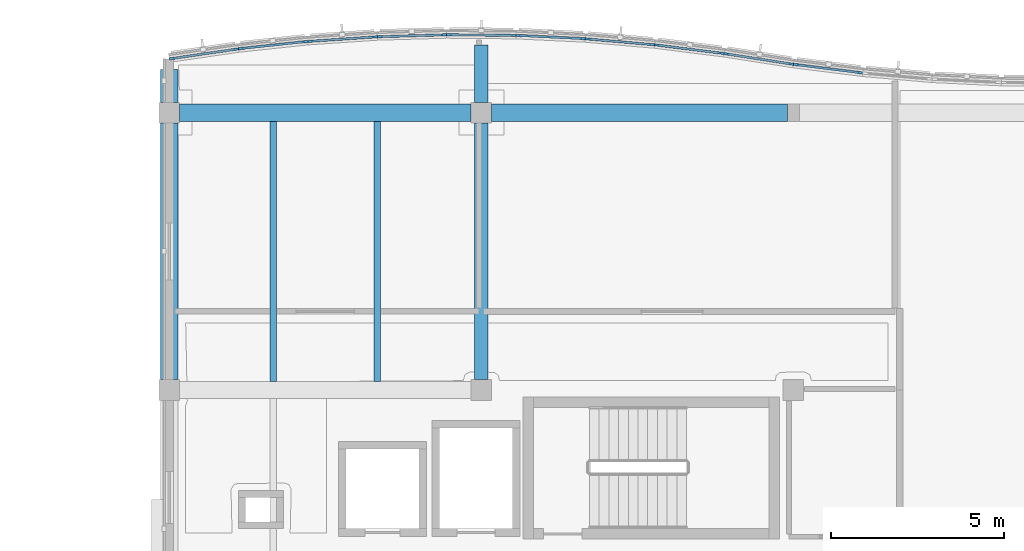
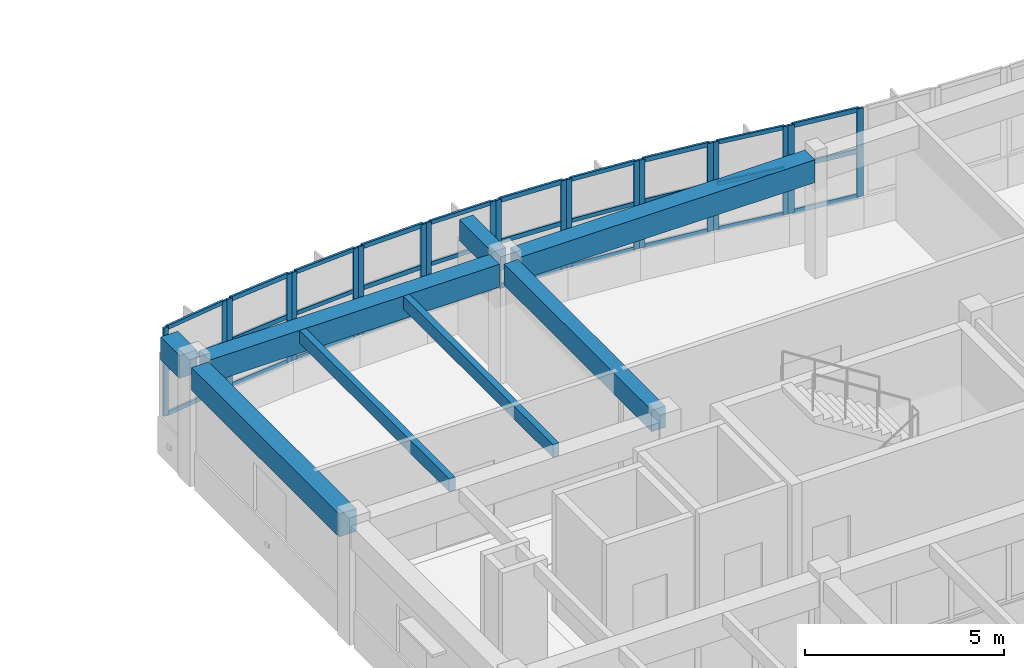
# One storey, part 19 of 89: 50 members, 8 beams, 10 elements without a shape of their own.
"""IFC4 building model written with IfcOpenShell, lengths in metres."""

from ifc_helpers import new_model, si_unit, direction, frame, origin, origin_2d, place, context, subcontext, project, spatial, rectangle, extrude, material, layer, layer_set, material_profile, profile_set, type_object, element, aggregate, save


model = new_model("IFC4")

# Units and contexts
model_context = context("Model", 3, precision=1e-05, world=origin(), true_north=direction((0.0, 1.0)))
body_context = subcontext(model_context, "Body", "Model", "MODEL_VIEW")
ifc_project = project(units=[si_unit("LENGTHUNIT", "METRE"), si_unit("AREAUNIT", "SQUARE_METRE"), si_unit("VOLUMEUNIT", "CUBIC_METRE"), si_unit("PLANEANGLEUNIT", "RADIAN"), si_unit("MASSUNIT", "GRAM", prefix="KILO")], contexts=[model_context])

# Site, building, storey
site_placement = place(None, origin())
site = spatial("IfcSite", under=ifc_project, at=site_placement, CompositionType="ELEMENT")
building_placement = place(site_placement, origin())
building = spatial("IfcBuilding", under=site, at=building_placement, Name="Tonlespit Floodbar School", CompositionType="ELEMENT")
storey_placement = place(building_placement, frame((0.0, 0.0, 4.5)))
storey = spatial("IfcBuildingStorey", under=building, at=storey_placement, Name="L01", CompositionType="ELEMENT", Elevation=4.5)

# Beams
ifc_material_1 = material(Name="Concrete C40/50", Category="concrete")
ifc_material_profile_1 = material_profile(ifc_material_1, rectangle(XDim=0.39990234375, YDim=0.64990234375, at=origin_2d()), Name="RC 400x650")
ifc_profile_set_1 = profile_set([ifc_material_profile_1], Name="Concrete C40/50")
beam_type_1 = type_object("IfcBeamType", Name="Beam_RC_400x650", PredefinedType="BEAM", material=ifc_profile_set_1)
beam_1_placement = place(storey_placement, frame((53.0, 112.300048828125, 3.320068359375), z_axis=(0.0, 1.0, 0.0), x_axis=(-1.0, 0.0, 0.0)))
element("IfcBeam", 1, at=beam_1_placement, inside=storey, type_object=beam_type_1, Name="L01 girder 0729", PredefinedType="BEAM", context=body_context, shape_type="SweptSolid", body=[
    extrude(rectangle(XDim=0.39990234375, YDim=0.64990234375, at=origin_2d()), origin(), (0.0, 0.0, 1.0), 7.39990234375),
])
beam_2_placement = place(storey_placement, frame((53.0, 120.300048828125, 3.320068359375), z_axis=(0.0, 1.0, 0.0), x_axis=(-1.0, 0.0, 0.0)))
element("IfcBeam", 2, at=beam_2_placement, inside=storey, type_object=beam_type_1, Name="L01 north street wave cantilever bracket", PredefinedType="BEAM", context=body_context, shape_type="SweptSolid", body=[
    extrude(rectangle(XDim=0.39990234375, YDim=0.64990234375, at=origin_2d()), origin(), (0.0, 0.0, 1.0), 1.64697265625),
])

# Curtain wall, members
ifc_material_2 = material(Name="Anodised Aluminium", Category="aluminium")
ifc_layer_1 = layer(ifc_material_2, 0.159912109375)
ifc_layer_set_1 = layer_set([ifc_layer_1], Name="Anodised Aluminium")
curtain_wall_type_1 = type_object("IfcCurtainWallType", Name="CurtainWall_1950x2700", PredefinedType="NOTDEFINED", material=ifc_layer_set_1)
curtain_wall_1_placement = place(storey_placement, origin())
curtain_wall_1 = element("IfcCurtainWall", 3, at=curtain_wall_1_placement, inside=storey, type_object=curtain_wall_type_1, Name="L01 unitised curtain wall 0040", PredefinedType="NOTDEFINED")
ifc_material_profile_2 = material_profile(ifc_material_2, rectangle(XDim=0.06494140625, YDim=0.14990234375, at=origin_2d()), Name="ALU M65x150")
ifc_profile_set_2 = profile_set([ifc_material_profile_2], Name="Anodised Aluminium")
member_type_1 = type_object("IfcMemberType", Name="CW_Mullion_65x150", PredefinedType="MULLION", material=ifc_profile_set_2)
member_1_placement = place(storey_placement, frame((44.07177734375, 121.560546875, 0.949951171875), z_axis=(0.0, 0.0, 1.0), x_axis=(-0.144248041079, 0.989541561858, 0.0)))
member_1 = element("IfcMember", 4, at=member_1_placement, type_object=member_type_1, Name="CW-04 mullion 1", PredefinedType="MULLION", context=body_context, shape_type="SweptSolid", body=[
    extrude(rectangle(XDim=0.06494140625, YDim=0.14990234375, at=origin_2d()), origin(), (0.0, 0.0, 1.0), 2.699951171875),
])
member_2_placement = place(storey_placement, frame((45.92822265625, 121.8310546875, 0.949951171875), z_axis=(0.0, 0.0, 1.0), x_axis=(-0.144248041079, 0.989541561858, 0.0)))
member_2 = element("IfcMember", 5, at=member_2_placement, type_object=member_type_1, Name="CW-04 mullion 2", PredefinedType="MULLION", context=body_context, shape_type="SweptSolid", body=[
    extrude(rectangle(XDim=0.06494140625, YDim=0.14990234375, at=origin_2d()), origin(), (0.0, 0.0, 1.0), 2.699951171875),
])

ifc_layer_2 = layer(ifc_material_2, 0.159912109375)
ifc_layer_set_2 = layer_set([ifc_layer_2], Name="Anodised Aluminium")
curtain_wall_type_2 = type_object("IfcCurtainWallType", Name="CurtainWall_1900x2700", PredefinedType="NOTDEFINED", material=ifc_layer_set_2)
curtain_wall_2_placement = place(storey_placement, origin())
curtain_wall_2 = element("IfcCurtainWall", 6, at=curtain_wall_2_placement, inside=storey, type_object=curtain_wall_type_2, Name="L01 unitised curtain wall 0042", PredefinedType="NOTDEFINED")
member_3_placement = place(storey_placement, frame((48.072265625, 122.05908203125, 0.949951171875), z_axis=(0.0, 0.0, 1.0), x_axis=(-0.067339767311, 0.99773010165, 0.0)))
member_3 = element("IfcMember", 7, at=member_3_placement, type_object=member_type_1, Name="CW-05 mullion 1", PredefinedType="MULLION", context=body_context, shape_type="SweptSolid", body=[
    extrude(rectangle(XDim=0.06494140625, YDim=0.14990234375, at=origin_2d()), origin(), (0.0, 0.0, 1.0), 2.699951171875),
])
member_4_placement = place(storey_placement, frame((49.927734375, 122.184326171875, 0.949951171875), z_axis=(0.0, 0.0, 1.0), x_axis=(-0.067339767311, 0.99773010165, 0.0)))
member_4 = element("IfcMember", 8, at=member_4_placement, type_object=member_type_1, Name="CW-05 mullion 2", PredefinedType="MULLION", context=body_context, shape_type="SweptSolid", body=[
    extrude(rectangle(XDim=0.06494140625, YDim=0.14990234375, at=origin_2d()), origin(), (0.0, 0.0, 1.0), 2.699951171875),
])

curtain_wall_3_placement = place(storey_placement, origin())
curtain_wall_3 = element("IfcCurtainWall", 9, at=curtain_wall_3_placement, inside=storey, type_object=curtain_wall_type_2, Name="L01 unitised curtain wall 0044", PredefinedType="NOTDEFINED")
member_5_placement = place(storey_placement, frame((52.072509765625, 122.246337890625, 0.949951171875), z_axis=(0.0, 0.0, 1.0), x_axis=(0.009582893292, 0.999954083024, 0.0)))
member_5 = element("IfcMember", 10, at=member_5_placement, type_object=member_type_1, Name="CW-05 mullion 1", PredefinedType="MULLION", context=body_context, shape_type="SweptSolid", body=[
    extrude(rectangle(XDim=0.06494140625, YDim=0.14990234375, at=origin_2d()), origin(), (0.0, 0.0, 1.0), 2.699951171875),
])
member_6_placement = place(storey_placement, frame((53.927490234375, 122.228515625, 0.949951171875), z_axis=(0.0, 0.0, 1.0), x_axis=(0.009582893292, 0.999954083024, 0.0)))
member_6 = element("IfcMember", 11, at=member_6_placement, type_object=member_type_1, Name="CW-05 mullion 2", PredefinedType="MULLION", context=body_context, shape_type="SweptSolid", body=[
    extrude(rectangle(XDim=0.06494140625, YDim=0.14990234375, at=origin_2d()), origin(), (0.0, 0.0, 1.0), 2.699951171875),
])

curtain_wall_4_placement = place(storey_placement, origin())
curtain_wall_4 = element("IfcCurtainWall", 12, at=curtain_wall_4_placement, inside=storey, type_object=curtain_wall_type_1, Name="L01 unitised curtain wall 0046", PredefinedType="NOTDEFINED")
member_7_placement = place(storey_placement, frame((56.072265625, 122.125244140625, 0.949951171875), z_axis=(0.0, 0.0, 1.0), x_axis=(0.086531117454, 0.996249148412, 0.0)))
member_7 = element("IfcMember", 13, at=member_7_placement, type_object=member_type_1, Name="CW-04 mullion 1", PredefinedType="MULLION", context=body_context, shape_type="SweptSolid", body=[
    extrude(rectangle(XDim=0.06494140625, YDim=0.14990234375, at=origin_2d()), origin(), (0.0, 0.0, 1.0), 2.699951171875),
])
member_8_placement = place(storey_placement, frame((57.927734375, 121.964111328125, 0.949951171875), z_axis=(0.0, 0.0, 1.0), x_axis=(0.086531117454, 0.996249148412, 0.0)))
member_8 = element("IfcMember", 14, at=member_8_placement, type_object=member_type_1, Name="CW-04 mullion 2", PredefinedType="MULLION", context=body_context, shape_type="SweptSolid", body=[
    extrude(rectangle(XDim=0.06494140625, YDim=0.14990234375, at=origin_2d()), origin(), (0.0, 0.0, 1.0), 2.699951171875),
])

curtain_wall_5_placement = place(storey_placement, origin())
curtain_wall_5 = element("IfcCurtainWall", 15, at=curtain_wall_5_placement, inside=storey, type_object=curtain_wall_type_1, Name="L01 unitised curtain wall 0048", PredefinedType="NOTDEFINED")
member_9_placement = place(storey_placement, frame((60.071533203125, 121.694580078125, 0.949951171875), z_axis=(0.0, 0.0, 1.0), x_axis=(0.153796288585, 0.988102576465, 0.0)))
member_9 = element("IfcMember", 16, at=member_9_placement, type_object=member_type_1, Name="CW-04 mullion 1", PredefinedType="MULLION", context=body_context, shape_type="SweptSolid", body=[
    extrude(rectangle(XDim=0.06494140625, YDim=0.14990234375, at=origin_2d()), origin(), (0.0, 0.0, 1.0), 2.699951171875),
])
member_10_placement = place(storey_placement, frame((61.928466796875, 121.405517578125, 0.949951171875), z_axis=(0.0, 0.0, 1.0), x_axis=(0.153796288585, 0.988102576465, 0.0)))
member_10 = element("IfcMember", 17, at=member_10_placement, type_object=member_type_1, Name="CW-04 mullion 2", PredefinedType="MULLION", context=body_context, shape_type="SweptSolid", body=[
    extrude(rectangle(XDim=0.06494140625, YDim=0.14990234375, at=origin_2d()), origin(), (0.0, 0.0, 1.0), 2.699951171875),
])

curtain_wall_6_placement = place(storey_placement, origin())
curtain_wall_6 = element("IfcCurtainWall", 18, at=curtain_wall_6_placement, inside=storey, type_object=curtain_wall_type_1, Name="L01 unitised curtain wall 0041", PredefinedType="NOTDEFINED")
ifc_material_profile_3 = material_profile(ifc_material_2, rectangle(XDim=0.06494140625, YDim=0.179931640625, at=origin_2d()), Name="ALU M65x180")
ifc_profile_set_3 = profile_set([ifc_material_profile_3], Name="Anodised Aluminium")
member_type_2 = type_object("IfcMemberType", Name="CW_Mullion_65x180", PredefinedType="MULLION", material=ifc_profile_set_3)
member_11_placement = place(storey_placement, frame((46.072021484375, 121.84912109375, 0.949951171875), z_axis=(0.0, 0.0, 1.0), x_axis=(-0.105787143968, 0.994388797288, 0.0)))
member_11 = element("IfcMember", 19, at=member_11_placement, type_object=member_type_2, Name="CW-04 mullion 1", PredefinedType="MULLION", context=body_context, shape_type="SweptSolid", body=[
    extrude(rectangle(XDim=0.06494140625, YDim=0.179931640625, at=origin_2d()), origin(), (0.0, 0.0, 1.0), 2.699951171875),
])
member_12_placement = place(storey_placement, frame((47.927978515625, 122.046630859375, 0.949951171875), z_axis=(0.0, 0.0, 1.0), x_axis=(-0.105787143968, 0.994388797288, 0.0)))
member_12 = element("IfcMember", 20, at=member_12_placement, type_object=member_type_2, Name="CW-04 mullion 2", PredefinedType="MULLION", context=body_context, shape_type="SweptSolid", body=[
    extrude(rectangle(XDim=0.06494140625, YDim=0.179931640625, at=origin_2d()), origin(), (0.0, 0.0, 1.0), 2.699951171875),
])

curtain_wall_7_placement = place(storey_placement, origin())
curtain_wall_7 = element("IfcCurtainWall", 21, at=curtain_wall_7_placement, inside=storey, type_object=curtain_wall_type_2, Name="L01 unitised curtain wall 0043", PredefinedType="NOTDEFINED")
member_13_placement = place(storey_placement, frame((50.072509765625, 122.19140625, 0.949951171875), z_axis=(0.0, 0.0, 1.0), x_axis=(-0.028790144226, 0.999585477883, 0.0)))
member_13 = element("IfcMember", 22, at=member_13_placement, type_object=member_type_2, Name="CW-05 mullion 1", PredefinedType="MULLION", context=body_context, shape_type="SweptSolid", body=[
    extrude(rectangle(XDim=0.06494140625, YDim=0.179931640625, at=origin_2d()), origin(), (0.0, 0.0, 1.0), 2.699951171875),
])
member_14_placement = place(storey_placement, frame((51.927490234375, 122.244873046875, 0.949951171875), z_axis=(0.0, 0.0, 1.0), x_axis=(-0.028790144226, 0.999585477883, 0.0)))
member_14 = element("IfcMember", 23, at=member_14_placement, type_object=member_type_2, Name="CW-05 mullion 2", PredefinedType="MULLION", context=body_context, shape_type="SweptSolid", body=[
    extrude(rectangle(XDim=0.06494140625, YDim=0.179931640625, at=origin_2d()), origin(), (0.0, 0.0, 1.0), 2.699951171875),
])

curtain_wall_8_placement = place(storey_placement, origin())
curtain_wall_8 = element("IfcCurtainWall", 24, at=curtain_wall_8_placement, inside=storey, type_object=curtain_wall_type_2, Name="L01 unitised curtain wall 0045", PredefinedType="NOTDEFINED")
member_15_placement = place(storey_placement, frame((54.072509765625, 122.224365234375, 0.949951171875), z_axis=(0.0, 0.0, 1.0), x_axis=(0.048121270216, 0.998841500616, 0.0)))
member_15 = element("IfcMember", 25, at=member_15_placement, type_object=member_type_2, Name="CW-05 mullion 1", PredefinedType="MULLION", context=body_context, shape_type="SweptSolid", body=[
    extrude(rectangle(XDim=0.06494140625, YDim=0.179931640625, at=origin_2d()), origin(), (0.0, 0.0, 1.0), 2.699951171875),
])
member_16_placement = place(storey_placement, frame((55.927490234375, 122.135009765625, 0.949951171875), z_axis=(0.0, 0.0, 1.0), x_axis=(0.048121270216, 0.998841500616, 0.0)))
member_16 = element("IfcMember", 26, at=member_16_placement, type_object=member_type_2, Name="CW-05 mullion 2", PredefinedType="MULLION", context=body_context, shape_type="SweptSolid", body=[
    extrude(rectangle(XDim=0.06494140625, YDim=0.179931640625, at=origin_2d()), origin(), (0.0, 0.0, 1.0), 2.699951171875),
])

curtain_wall_9_placement = place(storey_placement, origin())
curtain_wall_9 = element("IfcCurtainWall", 27, at=curtain_wall_9_placement, inside=storey, type_object=curtain_wall_type_1, Name="L01 unitised curtain wall 0047", PredefinedType="NOTDEFINED")
member_17_placement = place(storey_placement, frame((58.072021484375, 121.94873046875, 0.949951171875), z_axis=(0.0, 0.0, 1.0), x_axis=(0.125013803299, 0.992155002499, 0.0)))
member_17 = element("IfcMember", 28, at=member_17_placement, type_object=member_type_2, Name="CW-04 mullion 1", PredefinedType="MULLION", context=body_context, shape_type="SweptSolid", body=[
    extrude(rectangle(XDim=0.06494140625, YDim=0.179931640625, at=origin_2d()), origin(), (0.0, 0.0, 1.0), 2.699951171875),
])
member_18_placement = place(storey_placement, frame((59.927978515625, 121.71484375, 0.949951171875), z_axis=(0.0, 0.0, 1.0), x_axis=(0.125013803299, 0.992155002499, 0.0)))
member_18 = element("IfcMember", 29, at=member_18_placement, type_object=member_type_2, Name="CW-04 mullion 2", PredefinedType="MULLION", context=body_context, shape_type="SweptSolid", body=[
    extrude(rectangle(XDim=0.06494140625, YDim=0.179931640625, at=origin_2d()), origin(), (0.0, 0.0, 1.0), 2.699951171875),
])

curtain_wall_10_placement = place(storey_placement, origin())
curtain_wall_10 = element("IfcCurtainWall", 30, at=curtain_wall_10_placement, inside=storey, type_object=curtain_wall_type_1, Name="L01 unitised curtain wall 0049", PredefinedType="NOTDEFINED")
member_19_placement = place(storey_placement, frame((62.072021484375, 121.38525390625, 0.949951171875), z_axis=(0.0, 0.0, 1.0), x_axis=(0.125013803299, 0.992155002499, 0.0)))
member_19 = element("IfcMember", 31, at=member_19_placement, type_object=member_type_2, Name="CW-04 mullion 1", PredefinedType="MULLION", context=body_context, shape_type="SweptSolid", body=[
    extrude(rectangle(XDim=0.06494140625, YDim=0.179931640625, at=origin_2d()), origin(), (0.0, 0.0, 1.0), 2.699951171875),
])
member_20_placement = place(storey_placement, frame((63.927978515625, 121.1513671875, 0.949951171875), z_axis=(0.0, 0.0, 1.0), x_axis=(0.125013803299, 0.992155002499, 0.0)))
member_20 = element("IfcMember", 32, at=member_20_placement, type_object=member_type_2, Name="CW-04 mullion 2", PredefinedType="MULLION", context=body_context, shape_type="SweptSolid", body=[
    extrude(rectangle(XDim=0.06494140625, YDim=0.179931640625, at=origin_2d()), origin(), (0.0, 0.0, 1.0), 2.699951171875),
])

# Member
ifc_material_profile_4 = material_profile(ifc_material_2, rectangle(XDim=0.06494140625, YDim=0.1201171875, at=origin_2d()), Name="ALU T65x120")
ifc_profile_set_4 = profile_set([ifc_material_profile_4], Name="Anodised Aluminium")
member_type_3 = type_object("IfcMemberType", Name="CW_Transom_65x120", PredefinedType="USERDEFINED", material=ifc_profile_set_4)
member_21_placement = place(storey_placement, frame((44.10400390625, 121.565185546875, 0.982421875), z_axis=(0.989541000818, 0.144251889765, 0.0), x_axis=(-0.144251889765, 0.989541000818, 0.0)))
member_21 = element("IfcMember", 33, at=member_21_placement, type_object=member_type_3, Name="CW-04 transom 1.1", ObjectType="TRANSOM", PredefinedType="USERDEFINED", context=body_context, shape_type="SweptSolid", body=[
    extrude(rectangle(XDim=0.06494140625, YDim=0.1201171875, at=origin_2d()), origin(), (0.0, 0.0, 1.0), 1.81103515625),
])

member_22_placement = place(storey_placement, frame((44.10400390625, 121.565185546875, 2.35400390625), z_axis=(0.989541000818, 0.144251889765, 0.0), x_axis=(-0.144251889765, 0.989541000818, 0.0)))
member_22 = element("IfcMember", 34, at=member_22_placement, type_object=member_type_3, Name="CW-04 transom 1.2", ObjectType="TRANSOM", PredefinedType="USERDEFINED", context=body_context, shape_type="SweptSolid", body=[
    extrude(rectangle(XDim=0.06494140625, YDim=0.1201171875, at=origin_2d()), origin(), (0.0, 0.0, 1.0), 1.81103515625),
])

member_23_placement = place(storey_placement, frame((44.10400390625, 121.565185546875, 3.617431640625), z_axis=(0.989541000818, 0.144251889765, 0.0), x_axis=(-0.144251889765, 0.989541000818, 0.0)))
member_23 = element("IfcMember", 35, at=member_23_placement, type_object=member_type_3, Name="CW-04 transom 1.3", ObjectType="TRANSOM", PredefinedType="USERDEFINED", context=body_context, shape_type="SweptSolid", body=[
    extrude(rectangle(XDim=0.06494140625, YDim=0.1201171875, at=origin_2d()), origin(), (0.0, 0.0, 1.0), 1.81103515625),
])

aggregate(curtain_wall_1, [member_1, member_2, member_21, member_22, member_23])

member_24_placement = place(storey_placement, frame((48.104736328125, 122.061279296875, 0.982421875), z_axis=(0.997730041674, 0.067340655935, 0.0), x_axis=(-0.067340655935, 0.997730041674, 0.0)))
member_24 = element("IfcMember", 36, at=member_24_placement, type_object=member_type_3, Name="CW-05 transom 1.1", ObjectType="TRANSOM", PredefinedType="USERDEFINED", context=body_context, shape_type="SweptSolid", body=[
    extrude(rectangle(XDim=0.06494140625, YDim=0.1201171875, at=origin_2d()), origin(), (0.0, 0.0, 1.0), 1.794677734375),
])

member_25_placement = place(storey_placement, frame((48.104736328125, 122.061279296875, 2.35400390625), z_axis=(0.997730041674, 0.067340655935, 0.0), x_axis=(-0.067340655935, 0.997730041674, 0.0)))
member_25 = element("IfcMember", 37, at=member_25_placement, type_object=member_type_3, Name="CW-05 transom 1.2", ObjectType="TRANSOM", PredefinedType="USERDEFINED", context=body_context, shape_type="SweptSolid", body=[
    extrude(rectangle(XDim=0.06494140625, YDim=0.1201171875, at=origin_2d()), origin(), (0.0, 0.0, 1.0), 1.794677734375),
])

member_26_placement = place(storey_placement, frame((48.104736328125, 122.061279296875, 3.617431640625), z_axis=(0.997730041674, 0.067340655935, 0.0), x_axis=(-0.067340655935, 0.997730041674, 0.0)))
member_26 = element("IfcMember", 38, at=member_26_placement, type_object=member_type_3, Name="CW-05 transom 1.3", ObjectType="TRANSOM", PredefinedType="USERDEFINED", context=body_context, shape_type="SweptSolid", body=[
    extrude(rectangle(XDim=0.06494140625, YDim=0.1201171875, at=origin_2d()), origin(), (0.0, 0.0, 1.0), 1.794677734375),
])

aggregate(curtain_wall_2, [member_3, member_4, member_24, member_25, member_26])

member_27_placement = place(storey_placement, frame((52.10498046875, 122.24609375, 0.982421875), z_axis=(0.999953117448, -0.009683124842, 0.0), x_axis=(0.009683124842, 0.999953117448, 0.0)))
member_27 = element("IfcMember", 39, at=member_27_placement, type_object=member_type_3, Name="CW-05 transom 1.1", ObjectType="TRANSOM", PredefinedType="USERDEFINED", context=body_context, shape_type="SweptSolid", body=[
    extrude(rectangle(XDim=0.06494140625, YDim=0.1201171875, at=origin_2d()), origin(), (0.0, 0.0, 1.0), 1.7900390625),
])

member_28_placement = place(storey_placement, frame((52.10498046875, 122.24609375, 2.35400390625), z_axis=(0.999953117448, -0.009683124842, 0.0), x_axis=(0.009683124842, 0.999953117448, 0.0)))
member_28 = element("IfcMember", 40, at=member_28_placement, type_object=member_type_3, Name="CW-05 transom 1.2", ObjectType="TRANSOM", PredefinedType="USERDEFINED", context=body_context, shape_type="SweptSolid", body=[
    extrude(rectangle(XDim=0.06494140625, YDim=0.1201171875, at=origin_2d()), origin(), (0.0, 0.0, 1.0), 1.7900390625),
])

member_29_placement = place(storey_placement, frame((52.10498046875, 122.24609375, 3.617431640625), z_axis=(0.999953117448, -0.009683124842, 0.0), x_axis=(0.009683124842, 0.999953117448, 0.0)))
member_29 = element("IfcMember", 41, at=member_29_placement, type_object=member_type_3, Name="CW-05 transom 1.3", ObjectType="TRANSOM", PredefinedType="USERDEFINED", context=body_context, shape_type="SweptSolid", body=[
    extrude(rectangle(XDim=0.06494140625, YDim=0.1201171875, at=origin_2d()), origin(), (0.0, 0.0, 1.0), 1.7900390625),
])

aggregate(curtain_wall_3, [member_5, member_6, member_27, member_28, member_29])

member_30_placement = place(storey_placement, frame((56.1044921875, 122.122314453125, 0.982421875), z_axis=(0.996251281774, -0.086506552139, 0.0), x_axis=(0.086506552139, 0.996251281774, 0.0)))
member_30 = element("IfcMember", 42, at=member_30_placement, type_object=member_type_3, Name="CW-04 transom 1.1", ObjectType="TRANSOM", PredefinedType="USERDEFINED", context=body_context, shape_type="SweptSolid", body=[
    extrude(rectangle(XDim=0.06494140625, YDim=0.1201171875, at=origin_2d()), origin(), (0.0, 0.0, 1.0), 1.7978515625),
])

member_31_placement = place(storey_placement, frame((56.1044921875, 122.122314453125, 2.35400390625), z_axis=(0.996251281774, -0.086506552139, 0.0), x_axis=(0.086506552139, 0.996251281774, 0.0)))
member_31 = element("IfcMember", 43, at=member_31_placement, type_object=member_type_3, Name="CW-04 transom 1.2", ObjectType="TRANSOM", PredefinedType="USERDEFINED", context=body_context, shape_type="SweptSolid", body=[
    extrude(rectangle(XDim=0.06494140625, YDim=0.1201171875, at=origin_2d()), origin(), (0.0, 0.0, 1.0), 1.7978515625),
])

member_32_placement = place(storey_placement, frame((56.1044921875, 122.122314453125, 3.617431640625), z_axis=(0.996251281774, -0.086506552139, 0.0), x_axis=(0.086506552139, 0.996251281774, 0.0)))
member_32 = element("IfcMember", 44, at=member_32_placement, type_object=member_type_3, Name="CW-04 transom 1.3", ObjectType="TRANSOM", PredefinedType="USERDEFINED", context=body_context, shape_type="SweptSolid", body=[
    extrude(rectangle(XDim=0.06494140625, YDim=0.1201171875, at=origin_2d()), origin(), (0.0, 0.0, 1.0), 1.7978515625),
])

aggregate(curtain_wall_4, [member_7, member_8, member_30, member_31, member_32])

member_33_placement = place(storey_placement, frame((60.103759765625, 121.689453125, 0.982421875), z_axis=(0.988097838313, -0.15382672694, 0.0), x_axis=(0.15382672694, 0.988097838313, 0.0)))
member_33 = element("IfcMember", 45, at=member_33_placement, type_object=member_type_3, Name="CW-04 transom 1.1", ObjectType="TRANSOM", PredefinedType="USERDEFINED", context=body_context, shape_type="SweptSolid", body=[
    extrude(rectangle(XDim=0.06494140625, YDim=0.1201171875, at=origin_2d()), origin(), (0.0, 0.0, 1.0), 1.81396484375),
])

member_34_placement = place(storey_placement, frame((60.103759765625, 121.689453125, 2.35400390625), z_axis=(0.988097838313, -0.15382672694, 0.0), x_axis=(0.15382672694, 0.988097838313, 0.0)))
member_34 = element("IfcMember", 46, at=member_34_placement, type_object=member_type_3, Name="CW-04 transom 1.2", ObjectType="TRANSOM", PredefinedType="USERDEFINED", context=body_context, shape_type="SweptSolid", body=[
    extrude(rectangle(XDim=0.06494140625, YDim=0.1201171875, at=origin_2d()), origin(), (0.0, 0.0, 1.0), 1.81396484375),
])

member_35_placement = place(storey_placement, frame((60.103759765625, 121.689453125, 3.617431640625), z_axis=(0.988097838313, -0.15382672694, 0.0), x_axis=(0.15382672694, 0.988097838313, 0.0)))
member_35 = element("IfcMember", 47, at=member_35_placement, type_object=member_type_3, Name="CW-04 transom 1.3", ObjectType="TRANSOM", PredefinedType="USERDEFINED", context=body_context, shape_type="SweptSolid", body=[
    extrude(rectangle(XDim=0.06494140625, YDim=0.1201171875, at=origin_2d()), origin(), (0.0, 0.0, 1.0), 1.81396484375),
])

aggregate(curtain_wall_5, [member_9, member_10, member_33, member_34, member_35])

ifc_material_profile_5 = material_profile(ifc_material_2, rectangle(XDim=0.06494140625, YDim=0.139892578125, at=origin_2d()), Name="ALU T65x140")
ifc_profile_set_5 = profile_set([ifc_material_profile_5], Name="Anodised Aluminium")
member_type_4 = type_object("IfcMemberType", Name="CW_Transom_65x140", PredefinedType="USERDEFINED", material=ifc_profile_set_5)
member_36_placement = place(storey_placement, frame((46.1044921875, 121.852783203125, 0.982421875), z_axis=(0.994394979136, 0.105729019047, 0.0), x_axis=(-0.105729019047, 0.994394979136, 0.0)))
member_36 = element("IfcMember", 48, at=member_36_placement, type_object=member_type_4, Name="CW-04 transom 1.1", ObjectType="TRANSOM", PredefinedType="USERDEFINED", context=body_context, shape_type="SweptSolid", body=[
    extrude(rectangle(XDim=0.06494140625, YDim=0.139892578125, at=origin_2d()), origin(), (0.0, 0.0, 1.0), 1.801025390625),
])

member_37_placement = place(storey_placement, frame((46.1044921875, 121.852783203125, 2.35400390625), z_axis=(0.994394979136, 0.105729019047, 0.0), x_axis=(-0.105729019047, 0.994394979136, 0.0)))
member_37 = element("IfcMember", 49, at=member_37_placement, type_object=member_type_4, Name="CW-04 transom 1.2", ObjectType="TRANSOM", PredefinedType="USERDEFINED", context=body_context, shape_type="SweptSolid", body=[
    extrude(rectangle(XDim=0.06494140625, YDim=0.139892578125, at=origin_2d()), origin(), (0.0, 0.0, 1.0), 1.801025390625),
])

member_38_placement = place(storey_placement, frame((46.1044921875, 121.852783203125, 3.617431640625), z_axis=(0.994394979136, 0.105729019047, 0.0), x_axis=(-0.105729019047, 0.994394979136, 0.0)))
member_38 = element("IfcMember", 50, at=member_38_placement, type_object=member_type_4, Name="CW-04 transom 1.3", ObjectType="TRANSOM", PredefinedType="USERDEFINED", context=body_context, shape_type="SweptSolid", body=[
    extrude(rectangle(XDim=0.06494140625, YDim=0.139892578125, at=origin_2d()), origin(), (0.0, 0.0, 1.0), 1.801025390625),
])

aggregate(curtain_wall_6, [member_11, member_12, member_36, member_37, member_38])

member_39_placement = place(storey_placement, frame((50.10498046875, 122.1923828125, 0.982421875), z_axis=(0.999586171543, 0.02876605049, 0.0), x_axis=(-0.02876605049, 0.999586171543, 0.0)))
member_39 = element("IfcMember", 51, at=member_39_placement, type_object=member_type_4, Name="CW-05 transom 1.1", ObjectType="TRANSOM", PredefinedType="USERDEFINED", context=body_context, shape_type="SweptSolid", body=[
    extrude(rectangle(XDim=0.06494140625, YDim=0.139892578125, at=origin_2d()), origin(), (0.0, 0.0, 1.0), 1.790771484375),
])

member_40_placement = place(storey_placement, frame((50.10498046875, 122.1923828125, 2.35400390625), z_axis=(0.999586171543, 0.02876605049, 0.0), x_axis=(-0.02876605049, 0.999586171543, 0.0)))
member_40 = element("IfcMember", 52, at=member_40_placement, type_object=member_type_4, Name="CW-05 transom 1.2", ObjectType="TRANSOM", PredefinedType="USERDEFINED", context=body_context, shape_type="SweptSolid", body=[
    extrude(rectangle(XDim=0.06494140625, YDim=0.139892578125, at=origin_2d()), origin(), (0.0, 0.0, 1.0), 1.790771484375),
])

member_41_placement = place(storey_placement, frame((50.10498046875, 122.1923828125, 3.617431640625), z_axis=(0.999586171543, 0.02876605049, 0.0), x_axis=(-0.02876605049, 0.999586171543, 0.0)))
member_41 = element("IfcMember", 53, at=member_41_placement, type_object=member_type_4, Name="CW-05 transom 1.3", ObjectType="TRANSOM", PredefinedType="USERDEFINED", context=body_context, shape_type="SweptSolid", body=[
    extrude(rectangle(XDim=0.06494140625, YDim=0.139892578125, at=origin_2d()), origin(), (0.0, 0.0, 1.0), 1.790771484375),
])

aggregate(curtain_wall_7, [member_13, member_14, member_39, member_40, member_41])

member_42_placement = place(storey_placement, frame((54.10498046875, 122.22265625, 0.982421875), z_axis=(0.998843034795, -0.048089415069, 0.0), x_axis=(0.048089415069, 0.998843034795, 0.0)))
member_42 = element("IfcMember", 54, at=member_42_placement, type_object=member_type_4, Name="CW-05 transom 1.1", ObjectType="TRANSOM", PredefinedType="USERDEFINED", context=body_context, shape_type="SweptSolid", body=[
    extrude(rectangle(XDim=0.06494140625, YDim=0.139892578125, at=origin_2d()), origin(), (0.0, 0.0, 1.0), 1.7919921875),
])

member_43_placement = place(storey_placement, frame((54.10498046875, 122.22265625, 2.35400390625), z_axis=(0.998843034795, -0.048089415069, 0.0), x_axis=(0.048089415069, 0.998843034795, 0.0)))
member_43 = element("IfcMember", 55, at=member_43_placement, type_object=member_type_4, Name="CW-05 transom 1.2", ObjectType="TRANSOM", PredefinedType="USERDEFINED", context=body_context, shape_type="SweptSolid", body=[
    extrude(rectangle(XDim=0.06494140625, YDim=0.139892578125, at=origin_2d()), origin(), (0.0, 0.0, 1.0), 1.7919921875),
])

member_44_placement = place(storey_placement, frame((54.10498046875, 122.22265625, 3.617431640625), z_axis=(0.998843034795, -0.048089415069, 0.0), x_axis=(0.048089415069, 0.998843034795, 0.0)))
member_44 = element("IfcMember", 56, at=member_44_placement, type_object=member_type_4, Name="CW-05 transom 1.3", ObjectType="TRANSOM", PredefinedType="USERDEFINED", context=body_context, shape_type="SweptSolid", body=[
    extrude(rectangle(XDim=0.06494140625, YDim=0.139892578125, at=origin_2d()), origin(), (0.0, 0.0, 1.0), 1.7919921875),
])

aggregate(curtain_wall_8, [member_15, member_16, member_42, member_43, member_44])

member_45_placement = place(storey_placement, frame((58.104248046875, 121.944580078125, 0.982421875), z_axis=(0.992148373735, -0.125066400341, 0.0), x_axis=(0.125066400341, 0.992148373735, 0.0)))
member_45 = element("IfcMember", 57, at=member_45_placement, type_object=member_type_4, Name="CW-04 transom 1.1", ObjectType="TRANSOM", PredefinedType="USERDEFINED", context=body_context, shape_type="SweptSolid", body=[
    extrude(rectangle(XDim=0.06494140625, YDim=0.139892578125, at=origin_2d()), origin(), (0.0, 0.0, 1.0), 1.8056640625),
])

member_46_placement = place(storey_placement, frame((58.104248046875, 121.944580078125, 2.35400390625), z_axis=(0.992148373735, -0.125066400341, 0.0), x_axis=(0.125066400341, 0.992148373735, 0.0)))
member_46 = element("IfcMember", 58, at=member_46_placement, type_object=member_type_4, Name="CW-04 transom 1.2", ObjectType="TRANSOM", PredefinedType="USERDEFINED", context=body_context, shape_type="SweptSolid", body=[
    extrude(rectangle(XDim=0.06494140625, YDim=0.139892578125, at=origin_2d()), origin(), (0.0, 0.0, 1.0), 1.8056640625),
])

member_47_placement = place(storey_placement, frame((58.104248046875, 121.944580078125, 3.617431640625), z_axis=(0.992148373735, -0.125066400341, 0.0), x_axis=(0.125066400341, 0.992148373735, 0.0)))
member_47 = element("IfcMember", 59, at=member_47_placement, type_object=member_type_4, Name="CW-04 transom 1.3", ObjectType="TRANSOM", PredefinedType="USERDEFINED", context=body_context, shape_type="SweptSolid", body=[
    extrude(rectangle(XDim=0.06494140625, YDim=0.139892578125, at=origin_2d()), origin(), (0.0, 0.0, 1.0), 1.8056640625),
])

aggregate(curtain_wall_9, [member_17, member_18, member_45, member_46, member_47])

member_48_placement = place(storey_placement, frame((62.104248046875, 121.381103515625, 0.982421875), z_axis=(0.992165142165, -0.124933304901, 0.0), x_axis=(0.124933304901, 0.992165142165, 0.0)))
member_48 = element("IfcMember", 60, at=member_48_placement, type_object=member_type_4, Name="CW-04 transom 1.1", ObjectType="TRANSOM", PredefinedType="USERDEFINED", context=body_context, shape_type="SweptSolid", body=[
    extrude(rectangle(XDim=0.06494140625, YDim=0.139892578125, at=origin_2d()), origin(), (0.0, 0.0, 1.0), 1.8056640625),
])

member_49_placement = place(storey_placement, frame((62.104248046875, 121.381103515625, 2.35400390625), z_axis=(0.992165142165, -0.124933304901, 0.0), x_axis=(0.124933304901, 0.992165142165, 0.0)))
member_49 = element("IfcMember", 61, at=member_49_placement, type_object=member_type_4, Name="CW-04 transom 1.2", ObjectType="TRANSOM", PredefinedType="USERDEFINED", context=body_context, shape_type="SweptSolid", body=[
    extrude(rectangle(XDim=0.06494140625, YDim=0.139892578125, at=origin_2d()), origin(), (0.0, 0.0, 1.0), 1.8056640625),
])

member_50_placement = place(storey_placement, frame((62.104248046875, 121.381103515625, 3.617431640625), z_axis=(0.992165142165, -0.124933304901, 0.0), x_axis=(0.124933304901, 0.992165142165, 0.0)))
member_50 = element("IfcMember", 62, at=member_50_placement, type_object=member_type_4, Name="CW-04 transom 1.3", ObjectType="TRANSOM", PredefinedType="USERDEFINED", context=body_context, shape_type="SweptSolid", body=[
    extrude(rectangle(XDim=0.06494140625, YDim=0.139892578125, at=origin_2d()), origin(), (0.0, 0.0, 1.0), 1.8056640625),
])

aggregate(curtain_wall_10, [member_19, member_20, member_48, member_49, member_50])

# Beams
ifc_material_3 = material(Name="Glulam GL28h", Category="wood")
ifc_material_profile_6 = material_profile(ifc_material_3, rectangle(XDim=0.179931640625, YDim=0.39990234375, at=origin_2d()), Name="GL 180x400")
ifc_profile_set_6 = profile_set([ifc_material_profile_6], Name="Glulam GL28h")
beam_type_2 = type_object("IfcBeamType", Name="Joist_GL_180x400", PredefinedType="JOIST", material=ifc_profile_set_6)
for number, where, z_axis, x_axis, name in (
    (63, (47.0, 112.25, 3.445068359375), (0.0, 1.0, 0.0), (-1.0, 0.0, 0.0), "L01 secondary joist 0898"),
    (64, (50.0, 112.25, 3.445068359375), (0.0, 1.0, 0.0), (-1.0, 0.0, 0.0), "L01 secondary joist 0899"),
):
    element("IfcBeam", number, at=place(storey_placement, frame(where, z_axis=z_axis, x_axis=x_axis)), inside=storey, type_object=beam_type_2, Name=name, PredefinedType="JOIST", context=body_context, shape_type="SweptSolid", body=[
        extrude(rectangle(XDim=0.179931640625, YDim=0.39990234375, at=origin_2d()), origin(), (0.0, 0.0, 1.0), 7.5),
    ])
ifc_material_profile_7 = material_profile(ifc_material_1, rectangle(XDim=0.5, YDim=0.699951171875, at=origin_2d()), Name="RC 500x700")
ifc_profile_set_7 = profile_set([ifc_material_profile_7], Name="Concrete C40/50")
beam_type_3 = type_object("IfcBeamType", Name="Spandrel_RC_500x700", PredefinedType="SPANDREL", material=ifc_profile_set_7)
beam_3_placement = place(storey_placement, frame((44.300048828125, 120.0, 3.294921875), z_axis=(1.0, 0.0, 0.0), x_axis=(0.0, 1.0, 0.0)))
element("IfcBeam", 65, at=beam_3_placement, inside=storey, type_object=beam_type_3, Name="L01 girder 0655", PredefinedType="SPANDREL", context=body_context, shape_type="SweptSolid", body=[
    extrude(rectangle(XDim=0.5, YDim=0.699951171875, at=origin_2d()), origin(), (0.0, 0.0, 1.0), 8.39990234375),
])
beam_4_placement = place(storey_placement, frame((53.300048828125, 120.0, 3.294921875), z_axis=(1.0, 0.0, 0.0), x_axis=(0.0, 1.0, 0.0)))
element("IfcBeam", 66, at=beam_4_placement, inside=storey, type_object=beam_type_3, Name="L01 girder 0656", PredefinedType="SPANDREL", context=body_context, shape_type="SweptSolid", body=[
    extrude(rectangle(XDim=0.5, YDim=0.699951171875, at=origin_2d()), origin(), (0.0, 0.0, 1.0), 8.52490234375),
])
beam_5_placement = place(storey_placement, frame((44.0, 112.300048828125, 3.294921875), z_axis=(0.0, 1.0, 0.0), x_axis=(-1.0, 0.0, 0.0)))
element("IfcBeam", 67, at=beam_5_placement, inside=storey, type_object=beam_type_3, Name="L01 girder 0727", PredefinedType="SPANDREL", context=body_context, shape_type="SweptSolid", body=[
    extrude(rectangle(XDim=0.5, YDim=0.699951171875, at=origin_2d()), origin(), (0.0, 0.0, 1.0), 7.39990234375),
])
beam_6_placement = place(storey_placement, frame((44.0, 120.300048828125, 3.294921875), z_axis=(0.0, 1.0, 0.0), x_axis=(-1.0, 0.0, 0.0)))
element("IfcBeam", 68, at=beam_6_placement, inside=storey, type_object=beam_type_3, Name="L01 north street wave cantilever bracket", PredefinedType="SPANDREL", context=body_context, shape_type="SweptSolid", body=[
    extrude(rectangle(XDim=0.5, YDim=0.699951171875, at=origin_2d()), origin(), (0.0, 0.0, 1.0), 0.949951171875),
])

save(model, "model.ifc")
